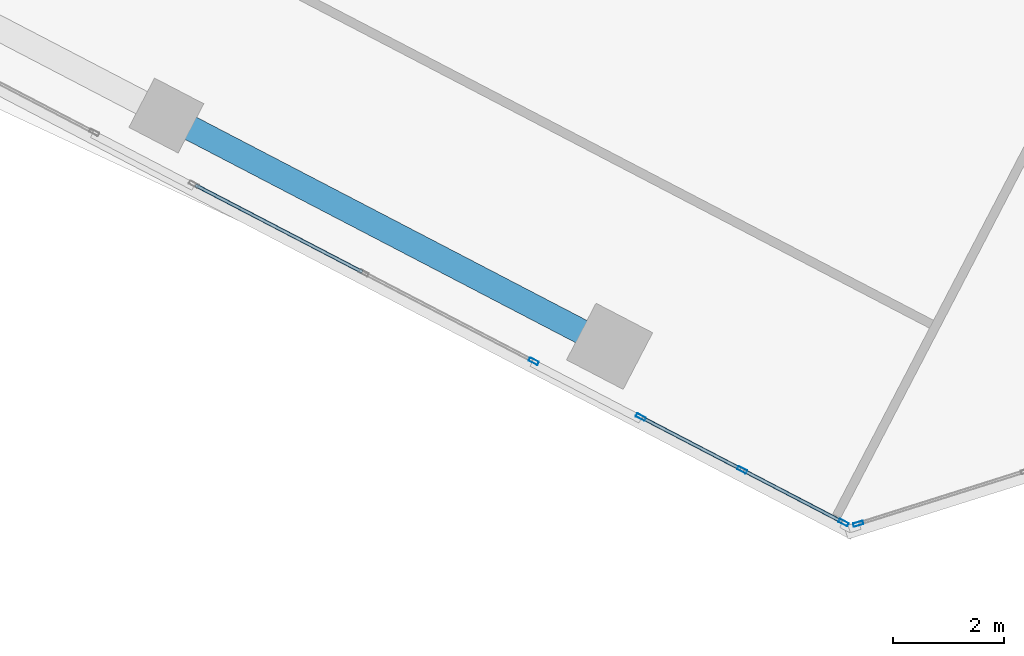
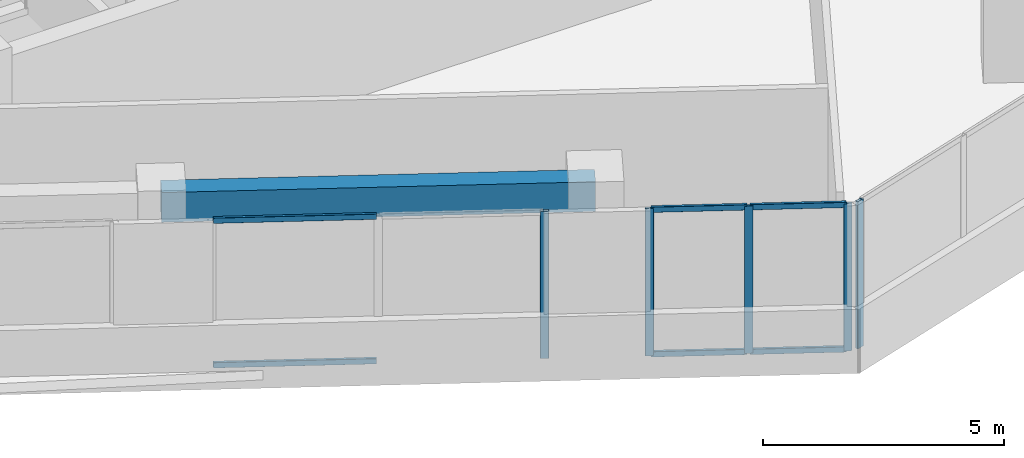
# One storey, part 4 of 22: 11 members, 1 beam, 3 elements without a shape of their own.
"""IFC4 building model written with IfcOpenShell, lengths in metres."""

from ifc_helpers import new_model, si_unit, direction, frame, origin, origin_2d, place, context, subcontext, project, spatial, rectangle, hollow_rectangle, extrude, source, transform, mapped, material, material_profile, profile_set, type_object, element, aggregate, save


model = new_model("IFC4")

# Units and contexts
model_context = context("Model", 3, precision=1e-05, world=origin(), true_north=direction((0.0, 1.0)))
body_context = subcontext(model_context, "Body", "Model", "MODEL_VIEW")
ifc_project = project(units=[si_unit("LENGTHUNIT", "METRE"), si_unit("AREAUNIT", "SQUARE_METRE"), si_unit("VOLUMEUNIT", "CUBIC_METRE"), si_unit("PLANEANGLEUNIT", "RADIAN"), si_unit("MASSUNIT", "GRAM", prefix="KILO")], contexts=[model_context])

# Site, building, storey
site_placement = place(None, origin())
site = spatial("IfcSite", under=ifc_project, at=site_placement, CompositionType="ELEMENT")
building_placement = place(site_placement, origin())
building = spatial("IfcBuilding", under=site, at=building_placement, Name="Torre Montelarca", CompositionType="ELEMENT")
storey_placement = place(building_placement, frame((0.0, 0.0, 166.60009765625)))
storey = spatial("IfcBuildingStorey", under=building, at=storey_placement, Name="L37", CompositionType="ELEMENT", Elevation=166.60009765625)

# Beam
ifc_material_1 = material(Name="Concrete C55/67", Category="concrete")
ifc_material_profile_1 = material_profile(ifc_material_1, rectangle(XDim=0.449951171875, YDim=0.75, at=origin_2d()), Name="RCB450X750", Category="concrete")
ifc_profile_set_1 = profile_set([ifc_material_profile_1], Name="Concrete C55/67")
beam_type = type_object("IfcBeamType", Name="BM-SP-RC750-EXT", PredefinedType="SPANDREL", material=ifc_profile_set_1)
shared_shape_1 = source(origin(), body_context, "Body", "SweptSolid", [
    extrude(rectangle(XDim=0.449951171875, YDim=0.75, at=origin_2d()), origin(), (0.0, 0.0, 1.0), 9.0),
])
beam_placement = place(storey_placement, frame((10.453369140625, 18.359619140625, 3.5849609375), z_axis=(0.887011077451, -0.461748143991, 0.0), x_axis=(0.461748143991, 0.887011077451, 0.0)))
element("IfcBeam", 1, at=beam_placement, inside=storey, type_object=beam_type, Name="L37 Grid Girder X 18.0-27.0 at Y=14.8", PredefinedType="SPANDREL", context=body_context, shape_type="MappedRepresentation", body=[
    mapped(shared_shape_1, transform((0.0, 0.0, 0.0), scale=1.0)),
])

# Curtain wall, member
ifc_material_2 = material(Name="Insulated low-E laminated glass", Category="glass")
curtain_wall_type = type_object("IfcCurtainWallType", Name="CW-SYS-Z2", PredefinedType="USERDEFINED", material=ifc_material_2)
curtain_wall_1_placement = place(storey_placement, origin())
curtain_wall_1 = element("IfcCurtainWall", 2, at=curtain_wall_1_placement, inside=storey, type_object=curtain_wall_type, Name="L37 Curtain Wall Run CW-T3-L37-E01-B2", ObjectType="UNITISED GLAZING", PredefinedType="USERDEFINED")
ifc_material_3 = material(Name="Anodised aluminium AA 6063-T6", Category="aluminium")
ifc_material_profile_2 = material_profile(ifc_material_3, hollow_rectangle(XDim=0.06494140625, YDim=0.179931640625, WallThickness=0.00390625, InnerFilletRadius=0.00390625, OuterFilletRadius=0.008056640625, at=origin_2d()), Name="ALU65X180X4", Category="aluminium")
ifc_profile_set_2 = profile_set([ifc_material_profile_2], Name="Anodised aluminium AA 6063-T6")
member_type_1 = type_object("IfcMemberType", Name="CWM-ALU180", PredefinedType="MULLION", material=ifc_profile_set_2)
shared_shape_2 = source(origin(), body_context, "Body", "SweptSolid", [
    extrude(hollow_rectangle(XDim=0.06494140625, YDim=0.179931640625, WallThickness=0.00390625, InnerFilletRadius=0.00390625, OuterFilletRadius=0.008056640625, at=origin_2d()), origin(), (0.0, 0.0, 1.0), 3.719970703125),
])
member_1_placement = place(storey_placement, frame((17.070068359375, 13.934326171875, 0.0), z_axis=(0.0, 0.0, 1.0), x_axis=(0.461752765954, 0.887008671397, 0.0)))
member_1 = element("IfcMember", 3, at=member_1_placement, type_object=member_type_1, Name="CW mullion 3", PredefinedType="MULLION", context=body_context, shape_type="MappedRepresentation", body=[
    mapped(shared_shape_2, transform((0.0, 0.0, 0.0), scale=1.0)),
])

# Curtain wall, members
curtain_wall_2_placement = place(storey_placement, origin())
curtain_wall_2 = element("IfcCurtainWall", 4, at=curtain_wall_2_placement, inside=storey, type_object=curtain_wall_type, Name="L37 Curtain Wall Run CW-T3-L37-E01-B3", ObjectType="UNITISED GLAZING", PredefinedType="USERDEFINED")
member_2_placement = place(storey_placement, frame((18.99951171875, 12.929931640625, 0.0), z_axis=(0.0, 0.0, 1.0), x_axis=(0.461740695528, 0.887014954831, 0.0)))
member_2 = element("IfcMember", 5, at=member_2_placement, type_object=member_type_1, Name="CW mullion 1", PredefinedType="MULLION", context=body_context, shape_type="MappedRepresentation", body=[
    mapped(shared_shape_2, transform((0.0, 0.0, 0.0), scale=1.0)),
])
member_3_placement = place(storey_placement, frame((20.82421875, 11.97998046875, 0.0), z_axis=(0.0, 0.0, 1.0), x_axis=(0.461740695528, 0.887014954831, 0.0)))
member_3 = element("IfcMember", 6, at=member_3_placement, type_object=member_type_1, Name="CW mullion 2", PredefinedType="MULLION", context=body_context, shape_type="MappedRepresentation", body=[
    mapped(shared_shape_2, transform((0.0, 0.0, 0.0), scale=1.0)),
])
member_4_placement = place(storey_placement, frame((22.648681640625, 11.0302734375, 0.0), z_axis=(0.0, 0.0, 1.0), x_axis=(0.461740695528, 0.887014954831, 0.0)))
member_4 = element("IfcMember", 7, at=member_4_placement, type_object=member_type_1, Name="CW mullion 3", PredefinedType="MULLION", context=body_context, shape_type="MappedRepresentation", body=[
    mapped(shared_shape_2, transform((0.0, 0.0, 0.0), scale=1.0)),
])

# Curtain wall, member
curtain_wall_3_placement = place(storey_placement, origin())
curtain_wall_3 = element("IfcCurtainWall", 8, at=curtain_wall_3_placement, inside=storey, type_object=curtain_wall_type, Name="L37 Curtain Wall Run CW-T3-L37-E02-B1", ObjectType="UNITISED GLAZING", PredefinedType="USERDEFINED")
member_5_placement = place(storey_placement, frame((22.914794921875, 11.007080078125, 0.0), z_axis=(0.0, 0.0, 1.0), x_axis=(-0.300702850836, 0.953717880455, 0.0)))
member_5 = element("IfcMember", 9, at=member_5_placement, type_object=member_type_1, Name="CW mullion 1", PredefinedType="MULLION", context=body_context, shape_type="MappedRepresentation", body=[
    mapped(shared_shape_2, transform((0.0, 0.0, 0.0), scale=1.0)),
])
aggregate(curtain_wall_3, [member_5])

# Member
ifc_material_profile_3 = material_profile(ifc_material_3, hollow_rectangle(XDim=0.06494140625, YDim=0.139892578125, WallThickness=0.00390625, InnerFilletRadius=0.00390625, OuterFilletRadius=0.008056640625, at=origin_2d()), Name="ALU65X140X4", Category="aluminium")
ifc_profile_set_3 = profile_set([ifc_material_profile_3], Name="Anodised aluminium AA 6063-T6")
member_type_2 = type_object("IfcMemberType", Name="CWT-ALU140", PredefinedType="USERDEFINED", material=ifc_profile_set_3)
shared_shape_3 = source(origin(), body_context, "Body", "SweptSolid", [
    extrude(hollow_rectangle(XDim=0.06494140625, YDim=0.139892578125, WallThickness=0.00390625, InnerFilletRadius=0.00390625, OuterFilletRadius=0.008056640625, at=origin_2d()), origin(), (0.0, 0.0, 1.0), 3.385009765625),
])
member_6_placement = place(storey_placement, frame((10.978759765625, 17.105224609375, 0.032470703125), z_axis=(0.887008871271, -0.461752382004, 0.0), x_axis=(0.461752382004, 0.887008871271, 0.0)))
member_6 = element("IfcMember", 10, at=member_6_placement, type_object=member_type_2, Name="CW transom 1.1", ObjectType="TRANSOM", PredefinedType="USERDEFINED", context=body_context, shape_type="MappedRepresentation", body=[
    mapped(shared_shape_3, transform((0.0, 0.0, 0.0), scale=1.0)),
])

member_7_placement = place(storey_placement, frame((10.978759765625, 17.105224609375, 3.6875), z_axis=(0.887008871271, -0.461752382004, 0.0), x_axis=(0.461752382004, 0.887008871271, 0.0)))
member_7 = element("IfcMember", 11, at=member_7_placement, type_object=member_type_2, Name="CW transom 1.2", ObjectType="TRANSOM", PredefinedType="USERDEFINED", context=body_context, shape_type="MappedRepresentation", body=[
    mapped(shared_shape_3, transform((0.0, 0.0, 0.0), scale=1.0)),
])

aggregate(curtain_wall_1, [member_1, member_6, member_7])

shared_shape_4 = source(origin(), body_context, "Body", "SweptSolid", [
    extrude(hollow_rectangle(XDim=0.06494140625, YDim=0.139892578125, WallThickness=0.00390625, InnerFilletRadius=0.00390625, OuterFilletRadius=0.008056640625, at=origin_2d()), origin(), (0.0, 0.0, 1.0), 1.991943359375),
])
member_8_placement = place(storey_placement, frame((19.0283203125, 12.914794921875, 0.032470703125), z_axis=(0.887028088932, -0.461715463729, 0.0), x_axis=(0.461715463729, 0.887028088932, 0.0)))
member_8 = element("IfcMember", 12, at=member_8_placement, type_object=member_type_2, Name="CW transom 1.1", ObjectType="TRANSOM", PredefinedType="USERDEFINED", context=body_context, shape_type="MappedRepresentation", body=[
    mapped(shared_shape_4, transform((0.0, 0.0, 0.0), scale=1.0)),
])

member_9_placement = place(storey_placement, frame((19.0283203125, 12.914794921875, 3.6875), z_axis=(0.887028088932, -0.461715463729, 0.0), x_axis=(0.461715463729, 0.887028088932, 0.0)))
member_9 = element("IfcMember", 13, at=member_9_placement, type_object=member_type_2, Name="CW transom 1.2", ObjectType="TRANSOM", PredefinedType="USERDEFINED", context=body_context, shape_type="MappedRepresentation", body=[
    mapped(shared_shape_4, transform((0.0, 0.0, 0.0), scale=1.0)),
])

member_10_placement = place(storey_placement, frame((20.85302734375, 11.965087890625, 0.032470703125), z_axis=(0.886977888048, -0.46181189473, 0.0), x_axis=(0.46181189473, 0.886977888048, 0.0)))
member_10 = element("IfcMember", 14, at=member_10_placement, type_object=member_type_2, Name="CW transom 2.1", ObjectType="TRANSOM", PredefinedType="USERDEFINED", context=body_context, shape_type="MappedRepresentation", body=[
    mapped(shared_shape_4, transform((0.0, 0.0, 0.0), scale=1.0)),
])

member_11_placement = place(storey_placement, frame((20.85302734375, 11.965087890625, 3.6875), z_axis=(0.886977888048, -0.46181189473, 0.0), x_axis=(0.46181189473, 0.886977888048, 0.0)))
member_11 = element("IfcMember", 15, at=member_11_placement, type_object=member_type_2, Name="CW transom 2.2", ObjectType="TRANSOM", PredefinedType="USERDEFINED", context=body_context, shape_type="MappedRepresentation", body=[
    mapped(shared_shape_4, transform((0.0, 0.0, 0.0), scale=1.0)),
])

aggregate(curtain_wall_2, [member_2, member_3, member_4, member_8, member_9, member_10, member_11])

save(model, "model.ifc")
